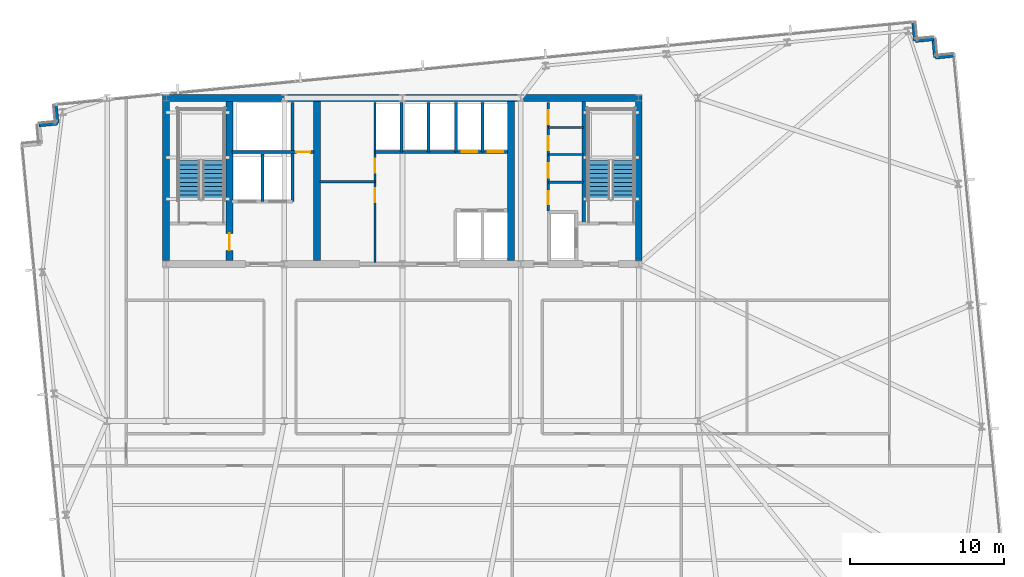
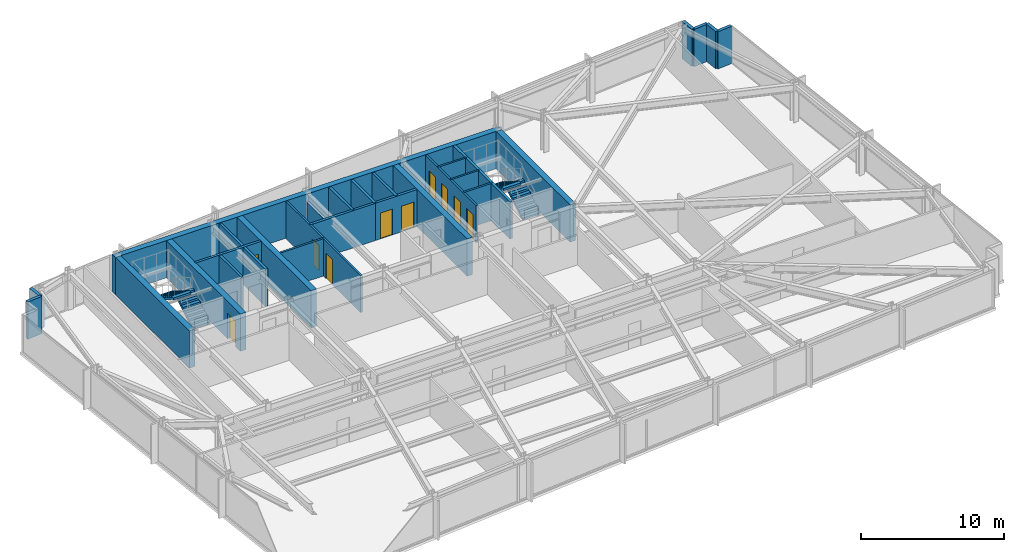
# One storey, part 26 of 32: 28 walls, 10 doors, 4 stair flights, 10 openings, 2 elements without a shape of their own.
"""IFC4 building model written with IfcOpenShell, lengths in metres."""

from ifc_helpers import new_model, si_unit, direction, frame, frame_2d, origin, place, context, subcontext, project, spatial, polyline, rectangle, outline, extrude, material, layer, layer_set, type_object, element, fill, aggregate, save


model = new_model("IFC4")

# Units and contexts
model_context = context("Model", 3, precision=1e-05, world=origin(), true_north=direction((0.0, 1.0)))
body_context = subcontext(model_context, "Body", "Model", "MODEL_VIEW")
ifc_project = project(units=[si_unit("LENGTHUNIT", "METRE"), si_unit("AREAUNIT", "SQUARE_METRE"), si_unit("VOLUMEUNIT", "CUBIC_METRE"), si_unit("PLANEANGLEUNIT", "RADIAN"), si_unit("MASSUNIT", "GRAM", prefix="KILO")], contexts=[model_context])

# Site, building, storey
site_placement = place(None, origin())
site = spatial("IfcSite", under=ifc_project, at=site_placement, CompositionType="ELEMENT")
building_placement = place(site_placement, origin())
building = spatial("IfcBuilding", under=site, at=building_placement, Name="Yelkora Congress Tower", CompositionType="ELEMENT")
storey_placement = place(building_placement, frame((0.0, 0.0, 99.89990234375)))
storey = spatial("IfcBuildingStorey", under=building, at=storey_placement, Name="L26", CompositionType="ELEMENT", Elevation=99.89990234375)

# Walls
ifc_material_1 = material(Name="Concrete C50/60", Category="concrete")
ifc_layer_1 = layer(ifc_material_1, 0.219970703125)
ifc_layer_set_1 = layer_set([ifc_layer_1], Name="Concrete C50/60")
wall_type_1 = type_object("IfcWallType", Name="WALL-CORE-INT-220", PredefinedType="SHEAR", material=ifc_layer_set_1)
wall_1_placement = place(storey_placement, frame((50.179931640625, 38.050048828125, 0.0), z_axis=(0.0, 0.0, 1.0), x_axis=(0.0, 1.0, 0.0)))
element("IfcWall", 1, at=wall_1_placement, inside=storey, type_object=wall_type_1, Name="L26 ST02 West Stair Shear Wall", PredefinedType="SHEAR", context=body_context, shape_type="SweptSolid", body=[
    extrude(rectangle(XDim=7.925048828125, YDim=0.219970703125, at=frame_2d((3.96240234375, 0.0))), origin(), (0.0, 0.0, 1.0), 3.18017578125),
])
ifc_material_2 = material(Name="Concrete C60/75", Category="concrete")
ifc_layer_2 = layer(ifc_material_2, 0.449951171875)
ifc_layer_set_2 = layer_set([ifc_layer_2], Name="Concrete C60/75")
wall_type_2 = type_object("IfcWallType", Name="WALL-CORE-INT-450", PredefinedType="SHEAR", material=ifc_layer_set_2)
wall_2_placement = place(storey_placement, frame((22.81494140625, 46.199951171875, 0.0), z_axis=(0.0, 0.0, 1.0), x_axis=(1.0, 0.0, 0.0)))
element("IfcWall", 2, at=wall_2_placement, inside=storey, type_object=wall_type_2, Name="L26 Rear Core North Shear Wall", PredefinedType="SHEAR", context=body_context, shape_type="SweptSolid", body=[
    extrude(rectangle(XDim=31.170166015625, YDim=0.449951171875, at=frame_2d((15.5849609375, 0.0))), origin(), (0.0, 0.0, 1.0), 3.18017578125),
])
wall_3_placement = place(storey_placement, frame((23.0400390625, 35.625, 0.0), z_axis=(0.0, 0.0, 1.0), x_axis=(0.0, 1.0, 0.0)))
element("IfcWall", 3, at=wall_3_placement, inside=storey, type_object=wall_type_2, Name="L26 Rear Core Cross Shear Wall W", PredefinedType="SHEAR", context=body_context, shape_type="SweptSolid", body=[
    extrude(rectangle(XDim=10.35009765625, YDim=0.449951171875, at=frame_2d((5.175048828125, 0.0))), origin(), (0.0, 0.0, 1.0), 3.18017578125),
])

# Wall, opening, door
wall_4_placement = place(storey_placement, frame((27.14990234375, 35.625, 0.0), z_axis=(0.0, 0.0, 1.0), x_axis=(0.0, 1.0, 0.0)))
wall_4 = element("IfcWall", 4, at=wall_4_placement, inside=storey, type_object=wall_type_2, Name="L26 Rear Core Cross Shear Wall C1", PredefinedType="SHEAR", context=body_context, shape_type="SweptSolid", body=[
    extrude(rectangle(XDim=10.35009765625, YDim=0.449951171875, at=frame_2d((5.175048828125, 0.0))), origin(), (0.0, 0.0, 1.0), 3.18017578125),
])
opening_1_placement = place(wall_4_placement, frame((0.675048828125, 0.0, 0.0)))
opening_1 = element("IfcOpeningElement", 5, at=opening_1_placement, cuts=wall_4, Name="Opening DR-110F9", PredefinedType="OPENING", context=body_context, shape_type="SweptSolid", body=[
    extrude(rectangle(XDim=1.10009765625, YDim=2.14990234375, at=frame_2d((0.550048828125, 1.074951171875))), frame((0.0, 0.23486328125, 0.0), z_axis=(0.0, -1.0, 0.0), x_axis=(1.0, 0.0, 0.0)), (0.0, 0.0, 1.0), 0.469970703125),
])
ifc_material_3 = material(Name="Galvanised steel fire door leaf", Category="steel")
door_type_1 = type_object("IfcDoorType", Name="DOOR-FD90-1100", OperationType="NOTDEFINED", PredefinedType="DOOR", material=ifc_material_3)
door_1_placement = place(opening_1_placement, origin())
door_1 = element("IfcDoor", 6, at=door_1_placement, inside=storey, type_object=door_type_1, Name="L26 Firefighting Stair Transfer Door", OperationType="SINGLE_SWING_LEFT", OverallHeight=2.14990234375, OverallWidth=1.10009765625, PredefinedType="DOOR", context=body_context, shape_type="SweptSolid", body=[
    extrude(rectangle(XDim=1.10009765625, YDim=2.14990234375, at=frame_2d((0.550048828125, 1.074951171875))), frame((0.0, 0.02490234375, 0.0), z_axis=(0.0, -1.0, 0.0), x_axis=(1.0, 0.0, 0.0)), (0.0, 0.0, 1.0), 0.050048828125),
])
fill(opening_1, door_1)

# Walls
for number, where, z_axis, x_axis, name in (
    (7, (32.85009765625, 35.625, 0.0), (0.0, 0.0, 1.0), (0.0, 1.0, 0.0), "L26 Rear Core Cross Shear Wall C2"),
    (8, (45.449951171875, 35.625, 0.0), (0.0, 0.0, 1.0), (0.0, 1.0, 0.0), "L26 Rear Core Cross Shear Wall C3"),
    (9, (53.760009765625, 35.625, 0.0), (0.0, 0.0, 1.0), (0.0, 1.0, 0.0), "L26 Rear Core Cross Shear Wall E"),
):
    element("IfcWall", number, at=place(storey_placement, frame(where, z_axis=z_axis, x_axis=x_axis)), inside=storey, type_object=wall_type_2, Name=name, PredefinedType="SHEAR", context=body_context, shape_type="SweptSolid", body=[
        extrude(rectangle(XDim=10.35009765625, YDim=0.449951171875, at=frame_2d((5.175048828125, 0.0))), origin(), (0.0, 0.0, 1.0), 3.18017578125),
    ])
ifc_material_4 = material(Name="Concrete C40/50", Category="concrete")
ifc_layer_3 = layer(ifc_material_4, 0.239990234375)
ifc_layer_set_3 = layer_set([ifc_layer_3], Name="Concrete C40/50")
wall_type_3 = type_object("IfcWallType", Name="WALL-EXT-LIMESTONE-240", PredefinedType="SOLIDWALL", material=ifc_layer_set_3)
for number, where, z_axis, x_axis, name in (
    (10, (14.7705078125, 44.436279296875, 0.0), (0.0, 0.0, 1.0), (0.995397091755, 0.095836473879, 0.0), "L26 Serrated Corner Limestone Pier 8"),
    (11, (15.96484375, 44.55126953125, 0.0), (0.0, 0.0, 1.0), (-0.095836473879, 0.995397091755, 0.0), "L26 Serrated Corner Limestone Pier 9"),
):
    element("IfcWall", number, at=place(storey_placement, frame(where, z_axis=z_axis, x_axis=x_axis)), inside=storey, type_object=wall_type_3, Name=name, PredefinedType="SOLIDWALL", context=body_context, shape_type="SweptSolid", body=[
        extrude(rectangle(XDim=1.199951171875, YDim=0.239990234375, at=frame_2d((0.60009765625, 0.0))), origin(), (0.0, 0.0, 1.0), 3.18017578125),
    ])
for number, where, z_axis, x_axis, name in (
    (12, (71.61181640625, 51.114990234375, 0.0), (0.0, 0.0, 1.0), (0.095817067274, -0.995398960025, 0.0), "L26 Serrated Corner Limestone Pier 11"),
    (13, (71.726806640625, 49.92041015625, 0.0), (0.0, 0.0, 1.0), (0.995398960025, 0.095817067274, 0.0), "L26 Serrated Corner Limestone Pier 12"),
    (14, (72.92138671875, 50.035400390625, 0.0), (0.0, 0.0, 1.0), (0.095817067274, -0.995398960025, 0.0), "L26 Serrated Corner Limestone Pier 13"),
    (15, (73.036376953125, 48.8408203125, 0.0), (0.0, 0.0, 1.0), (0.995379537303, 0.096018626938, 0.0), "L26 Serrated Corner Limestone Pier 14"),
):
    element("IfcWall", number, at=place(storey_placement, frame(where, z_axis=z_axis, x_axis=x_axis)), inside=storey, type_object=wall_type_3, Name=name, PredefinedType="SOLIDWALL", context=body_context, shape_type="SweptSolid", body=[
        extrude(rectangle(XDim=1.2001953125, YDim=0.239990234375, at=frame_2d((0.60009765625, 0.0))), origin(), (0.0, 0.0, 1.0), 3.18017578125),
    ])
ifc_material_5 = material(Name="Acoustic metal-stud gypsum partition", Category="gypsum")
ifc_layer_4 = layer(ifc_material_5, 0.14990234375)
ifc_layer_set_4 = layer_set([ifc_layer_4], Name="Acoustic metal-stud gypsum partition")
wall_type_4 = type_object("IfcWallType", Name="WALL-INT-150-NR", PredefinedType="PARTITIONING", material=ifc_layer_set_4)
for number, where, z_axis, x_axis, name in (
    (16, (47.8798828125, 40.719970703125, 0.0), (0.0, 0.0, 1.0), (1.0, 0.0, 0.0), "L26 Partition Wall 24"),
    (17, (47.8798828125, 42.52001953125, 0.0), (0.0, 0.0, 1.0), (1.0, 0.0, 0.0), "L26 Partition Wall 25"),
    (18, (47.8798828125, 44.280029296875, 0.0), (0.0, 0.0, 1.0), (1.0, 0.0, 0.0), "L26 Partition Wall 26"),
):
    element("IfcWall", number, at=place(storey_placement, frame(where, z_axis=z_axis, x_axis=x_axis)), inside=storey, type_object=wall_type_4, Name=name, PredefinedType="PARTITIONING", context=body_context, shape_type="SweptSolid", body=[
        extrude(rectangle(XDim=2.300048828125, YDim=0.14990234375, at=frame_2d((1.14990234375, 0.0))), origin(), (0.0, 0.0, 1.0), 3.18017578125),
    ])

# Wall, openings, doors
wall_5_placement = place(storey_placement, frame((47.8798828125, 38.85009765625, 0.0), z_axis=(0.0, 0.0, 1.0), x_axis=(0.0, 1.0, 0.0)))
wall_5 = element("IfcWall", 19, at=wall_5_placement, inside=storey, type_object=wall_type_4, Name="L26 Partition Wall 27", PredefinedType="PARTITIONING", context=body_context, shape_type="SweptSolid", body=[
    extrude(rectangle(XDim=7.06982421875, YDim=0.14990234375, at=frame_2d((3.534912109375, 0.0))), origin(), (0.0, 0.0, 1.0), 3.18017578125),
])
opening_2_placement = place(wall_5_placement, frame((0.449951171875, 0.0, 0.0)))
opening_2 = element("IfcOpeningElement", 20, at=opening_2_placement, cuts=wall_5, Name="Opening DR-085N", PredefinedType="OPENING", context=body_context, shape_type="SweptSolid", body=[
    extrude(rectangle(XDim=0.85009765625, YDim=2.14990234375, at=frame_2d((0.425048828125, 1.074951171875))), frame((0.0, 0.0849609375, 0.0), z_axis=(0.0, -1.0, 0.0), x_axis=(1.0, 0.0, 0.0)), (0.0, 0.0, 1.0), 0.169921875),
])
opening_3_placement = place(wall_5_placement, frame((2.14990234375, 0.0, 0.0)))
opening_3 = element("IfcOpeningElement", 21, at=opening_3_placement, cuts=wall_5, Name="Opening DR-095N", PredefinedType="OPENING", context=body_context, shape_type="SweptSolid", body=[
    extrude(rectangle(XDim=0.949951171875, YDim=2.14990234375, at=frame_2d((0.47509765625, 1.074951171875))), frame((0.0, 0.0849609375, 0.0), z_axis=(0.0, -1.0, 0.0), x_axis=(1.0, 0.0, 0.0)), (0.0, 0.0, 1.0), 0.169921875),
])
opening_4_placement = place(wall_5_placement, frame((3.949951171875, 0.0, 0.0)))
opening_4 = element("IfcOpeningElement", 22, at=opening_4_placement, cuts=wall_5, Name="Opening DR-090N", PredefinedType="OPENING", context=body_context, shape_type="SweptSolid", body=[
    extrude(rectangle(XDim=0.89990234375, YDim=2.14990234375, at=frame_2d((0.449951171875, 1.074951171875))), frame((0.0, 0.0849609375, 0.0), z_axis=(0.0, -1.0, 0.0), x_axis=(1.0, 0.0, 0.0)), (0.0, 0.0, 1.0), 0.169921875),
])
opening_5_placement = place(wall_5_placement, frame((5.64990234375, 0.0, 0.0)))
opening_5 = element("IfcOpeningElement", 23, at=opening_5_placement, cuts=wall_5, Name="Opening DR-090N", PredefinedType="OPENING", context=body_context, shape_type="SweptSolid", body=[
    extrude(rectangle(XDim=0.89990234375, YDim=2.14990234375, at=frame_2d((0.449951171875, 1.074951171875))), frame((0.0, 0.0849609375, 0.0), z_axis=(0.0, -1.0, 0.0), x_axis=(1.0, 0.0, 0.0)), (0.0, 0.0, 1.0), 0.169921875),
])
ifc_material_6 = material(Name="Laminate service store door leaf", Category="wood")
door_type_2 = type_object("IfcDoorType", Name="DOOR-INT-850", OperationType="NOTDEFINED", PredefinedType="DOOR", material=ifc_material_6)
door_2_placement = place(opening_2_placement, origin())
door_2 = element("IfcDoor", 24, at=door_2_placement, inside=storey, type_object=door_type_2, Name="L26 Janitor Room Door", OperationType="SINGLE_SWING_RIGHT", OverallHeight=2.14990234375, OverallWidth=0.85009765625, PredefinedType="DOOR", context=body_context, shape_type="SweptSolid", body=[
    extrude(rectangle(XDim=0.85009765625, YDim=2.14990234375, at=frame_2d((0.425048828125, 1.074951171875))), frame((0.0, 0.02490234375, 0.0), z_axis=(0.0, -1.0, 0.0), x_axis=(1.0, 0.0, 0.0)), (0.0, 0.0, 1.0), 0.050048828125),
])
fill(opening_2, door_2)
ifc_material_7 = material(Name="Moisture-resistant laminate door leaf", Category="wood")
door_type_3 = type_object("IfcDoorType", Name="DOOR-INT-900", OperationType="NOTDEFINED", PredefinedType="DOOR", material=ifc_material_7)
door_3_placement = place(opening_4_placement, origin())
door_3 = element("IfcDoor", 25, at=door_3_placement, inside=storey, type_object=door_type_3, Name="L26 Male WC Door", OperationType="SINGLE_SWING_RIGHT", OverallHeight=2.14990234375, OverallWidth=0.89990234375, PredefinedType="DOOR", context=body_context, shape_type="SweptSolid", body=[
    extrude(rectangle(XDim=0.89990234375, YDim=2.14990234375, at=frame_2d((0.449951171875, 1.074951171875))), frame((0.0, 0.02490234375, 0.0), z_axis=(0.0, -1.0, 0.0), x_axis=(1.0, 0.0, 0.0)), (0.0, 0.0, 1.0), 0.050048828125),
])
fill(opening_4, door_3)
door_4_placement = place(opening_5_placement, origin())
door_4 = element("IfcDoor", 26, at=door_4_placement, inside=storey, type_object=door_type_3, Name="L26 Female WC Door", OperationType="SINGLE_SWING_LEFT", OverallHeight=2.14990234375, OverallWidth=0.89990234375, PredefinedType="DOOR", context=body_context, shape_type="SweptSolid", body=[
    extrude(rectangle(XDim=0.89990234375, YDim=2.14990234375, at=frame_2d((0.449951171875, 1.074951171875))), frame((0.0, 0.02490234375, 0.0), z_axis=(0.0, -1.0, 0.0), x_axis=(1.0, 0.0, 0.0)), (0.0, 0.0, 1.0), 0.050048828125),
])
fill(opening_5, door_4)
ifc_material_8 = material(Name="Acoustic laminated timber office door", Category="wood")
door_type_4 = type_object("IfcDoorType", Name="DOOR-INT-950", OperationType="NOTDEFINED", PredefinedType="DOOR", material=ifc_material_8)
door_5_placement = place(opening_3_placement, origin())
door_5 = element("IfcDoor", 27, at=door_5_placement, inside=storey, type_object=door_type_4, Name="L26 Accessible WC Door", OperationType="SINGLE_SWING_LEFT", OverallHeight=2.14990234375, OverallWidth=0.949951171875, PredefinedType="DOOR", context=body_context, shape_type="SweptSolid", body=[
    extrude(rectangle(XDim=0.949951171875, YDim=2.14990234375, at=frame_2d((0.47509765625, 1.074951171875))), frame((0.0, 0.02490234375, 0.0), z_axis=(0.0, -1.0, 0.0), x_axis=(1.0, 0.0, 0.0)), (0.0, 0.0, 1.0), 0.050048828125),
])
fill(opening_3, door_5)

# Wall
ifc_material_9 = material(Name="Twin-stud fire-rated gypsum partition", Category="gypsum")
ifc_layer_5 = layer(ifc_material_9, 0.14990234375)
ifc_layer_set_5 = layer_set([ifc_layer_5], Name="Twin-stud fire-rated gypsum partition")
wall_type_5 = type_object("IfcWallType", Name="WALL-INT-150-R60", PredefinedType="PARTITIONING", material=ifc_layer_set_5)
wall_6_placement = place(storey_placement, frame((33.050048828125, 40.75, 0.0), z_axis=(0.0, 0.0, 1.0), x_axis=(1.0, 0.0, 0.0)))
element("IfcWall", 28, at=wall_6_placement, inside=storey, type_object=wall_type_5, Name="L26 Partition Wall 11", PredefinedType="PARTITIONING", context=body_context, shape_type="SweptSolid", body=[
    extrude(rectangle(XDim=3.570068359375, YDim=0.14990234375, at=frame_2d((1.78515625, 0.0))), origin(), (0.0, 0.0, 1.0), 3.18017578125),
])

# Wall, openings, doors
wall_7_placement = place(storey_placement, frame((36.6201171875, 35.5, 0.0), z_axis=(0.0, 0.0, 1.0), x_axis=(0.0, 1.0, 0.0)))
wall_7 = element("IfcWall", 29, at=wall_7_placement, inside=storey, type_object=wall_type_5, Name="L26 Partition Wall 12", PredefinedType="PARTITIONING", context=body_context, shape_type="SweptSolid", body=[
    extrude(rectangle(XDim=10.419921875, YDim=0.14990234375, at=frame_2d((5.2099609375, 0.0))), origin(), (0.0, 0.0, 1.0), 3.18017578125),
])
opening_6_placement = place(wall_7_placement, frame((3.919921875, 0.0, 0.0)))
opening_6 = element("IfcOpeningElement", 30, at=opening_6_placement, cuts=wall_7, Name="Opening DR-090F6", PredefinedType="OPENING", context=body_context, shape_type="SweptSolid", body=[
    extrude(rectangle(XDim=0.89990234375, YDim=2.14990234375, at=frame_2d((0.449951171875, 1.074951171875))), frame((0.0, 0.0849609375, 0.0), z_axis=(0.0, -1.0, 0.0), x_axis=(1.0, 0.0, 0.0)), (0.0, 0.0, 1.0), 0.169921875),
])
opening_7_placement = place(wall_7_placement, frame((5.85009765625, 0.0, 0.0)))
opening_7 = element("IfcOpeningElement", 31, at=opening_7_placement, cuts=wall_7, Name="Opening DR-090F6", PredefinedType="OPENING", context=body_context, shape_type="SweptSolid", body=[
    extrude(rectangle(XDim=0.89990234375, YDim=2.14990234375, at=frame_2d((0.449951171875, 1.074951171875))), frame((0.0, 0.0849609375, 0.0), z_axis=(0.0, -1.0, 0.0), x_axis=(1.0, 0.0, 0.0)), (0.0, 0.0, 1.0), 0.169921875),
])
ifc_material_10 = material(Name="Painted steel riser fire door leaf", Category="steel")
door_type_5 = type_object("IfcDoorType", Name="DOOR-FD60-900", OperationType="NOTDEFINED", PredefinedType="DOOR", material=ifc_material_10)
door_6_placement = place(opening_6_placement, origin())
door_6 = element("IfcDoor", 32, at=door_6_placement, inside=storey, type_object=door_type_5, Name="L26 Telecom Store Door", OperationType="SINGLE_SWING_LEFT", OverallHeight=2.14990234375, OverallWidth=0.89990234375, PredefinedType="DOOR", context=body_context, shape_type="SweptSolid", body=[
    extrude(rectangle(XDim=0.89990234375, YDim=2.14990234375, at=frame_2d((0.449951171875, 1.074951171875))), frame((0.0, 0.02490234375, 0.0), z_axis=(0.0, -1.0, 0.0), x_axis=(1.0, 0.0, 0.0)), (0.0, 0.0, 1.0), 0.050048828125),
])
fill(opening_6, door_6)
door_7_placement = place(opening_7_placement, origin())
door_7 = element("IfcDoor", 33, at=door_7_placement, inside=storey, type_object=door_type_5, Name="L26 Archive Store Door", OperationType="SINGLE_SWING_RIGHT", OverallHeight=2.14990234375, OverallWidth=0.89990234375, PredefinedType="DOOR", context=body_context, shape_type="SweptSolid", body=[
    extrude(rectangle(XDim=0.89990234375, YDim=2.14990234375, at=frame_2d((0.449951171875, 1.074951171875))), frame((0.0, 0.02490234375, 0.0), z_axis=(0.0, -1.0, 0.0), x_axis=(1.0, 0.0, 0.0)), (0.0, 0.0, 1.0), 0.050048828125),
])
fill(opening_7, door_7)

# Walls
ifc_material_11 = material(Name="Autoclaved aerated concrete blockwork", Category="masonry")
ifc_layer_6 = layer(ifc_material_11, 0.199951171875)
ifc_layer_set_6 = layer_set([ifc_layer_6], Name="Autoclaved aerated concrete blockwork")
wall_type_6 = type_object("IfcWallType", Name="WALL-INT-200-R120", PredefinedType="PARTITIONING", material=ifc_layer_set_6)
wall_8_placement = place(storey_placement, frame((29.300048828125, 39.47998046875, 0.0), z_axis=(0.0, 0.0, 1.0), x_axis=(0.0, 1.0, 0.0)))
element("IfcWall", 34, at=wall_8_placement, inside=storey, type_object=wall_type_6, Name="L26 Partition Wall 4", PredefinedType="PARTITIONING", context=body_context, shape_type="SweptSolid", body=[
    extrude(rectangle(XDim=3.070068359375, YDim=0.199951171875, at=frame_2d((1.53515625, 0.0))), origin(), (0.0, 0.0, 1.0), 3.18017578125),
])
wall_9_placement = place(storey_placement, frame((31.260009765625, 39.47998046875, 0.0), z_axis=(0.0, 0.0, 1.0), x_axis=(0.0, 1.0, 0.0)))
element("IfcWall", 35, at=wall_9_placement, inside=storey, type_object=wall_type_6, Name="L26 Partition Wall 5", PredefinedType="PARTITIONING", context=body_context, shape_type="SweptSolid", body=[
    extrude(rectangle(XDim=6.43994140625, YDim=0.199951171875, at=frame_2d((3.219970703125, 0.0))), origin(), (0.0, 0.0, 1.0), 3.18017578125),
])

# Wall, opening, door
wall_10_placement = place(storey_placement, frame((27.320068359375, 42.679931640625, 0.0), z_axis=(0.0, 0.0, 1.0), x_axis=(1.0, 0.0, 0.0)))
wall_10 = element("IfcWall", 36, at=wall_10_placement, inside=storey, type_object=wall_type_6, Name="L26 Smoke Riser South Wall", PredefinedType="PARTITIONING", context=body_context, shape_type="SweptSolid", body=[
    extrude(rectangle(XDim=5.329833984375, YDim=0.199951171875, at=frame_2d((2.6650390625, 0.0))), origin(), (0.0, 0.0, 1.0), 3.18017578125),
])
opening_8_placement = place(wall_10_placement, frame((4.179931640625, 0.0, 0.0)))
opening_8 = element("IfcOpeningElement", 37, at=opening_8_placement, cuts=wall_10, Name="Opening DR-090F6", PredefinedType="OPENING", context=body_context, shape_type="SweptSolid", body=[
    extrude(rectangle(XDim=0.89990234375, YDim=2.14990234375, at=frame_2d((0.449951171875, 1.074951171875))), frame((0.0, 0.10986328125, 0.0), z_axis=(0.0, -1.0, 0.0), x_axis=(1.0, 0.0, 0.0)), (0.0, 0.0, 1.0), 0.219970703125),
])
door_8_placement = place(opening_8_placement, origin())
door_8 = element("IfcDoor", 38, at=door_8_placement, inside=storey, type_object=door_type_5, Name="L26 Riser Access Door", OperationType="SINGLE_SWING_LEFT", OverallHeight=2.14990234375, OverallWidth=0.89990234375, PredefinedType="DOOR", context=body_context, shape_type="SweptSolid", body=[
    extrude(rectangle(XDim=0.89990234375, YDim=2.14990234375, at=frame_2d((0.449951171875, 1.074951171875))), frame((0.0, 0.02490234375, 0.0), z_axis=(0.0, -1.0, 0.0), x_axis=(1.0, 0.0, 0.0)), (0.0, 0.0, 1.0), 0.050048828125),
])
fill(opening_8, door_8)

# Walls
wall_11_placement = place(storey_placement, frame((36.60009765625, 42.699951171875, 0.0), z_axis=(0.0, 0.0, 1.0), x_axis=(1.0, 0.0, 0.0)))
element("IfcWall", 39, at=wall_11_placement, inside=storey, type_object=wall_type_6, Name="L26 Partition Wall 8", PredefinedType="PARTITIONING", context=body_context, shape_type="SweptSolid", body=[
    extrude(rectangle(XDim=5.25, YDim=0.199951171875, at=frame_2d((2.625, 0.0))), origin(), (0.0, 0.0, 1.0), 3.18017578125),
])
wall_12_placement = place(storey_placement, frame((38.35009765625, 42.699951171875, 0.0), z_axis=(0.0, 0.0, 1.0), x_axis=(0.0, 1.0, 0.0)))
element("IfcWall", 40, at=wall_12_placement, inside=storey, type_object=wall_type_6, Name="L26 Partition Wall 9", PredefinedType="PARTITIONING", context=body_context, shape_type="SweptSolid", body=[
    extrude(rectangle(XDim=3.219970703125, YDim=0.199951171875, at=frame_2d((1.60986328125, 0.0))), origin(), (0.0, 0.0, 1.0), 2.525146484375),
])
wall_13_placement = place(storey_placement, frame((40.10009765625, 42.699951171875, 0.0), z_axis=(0.0, 0.0, 1.0), x_axis=(0.0, 1.0, 0.0)))
element("IfcWall", 41, at=wall_13_placement, inside=storey, type_object=wall_type_6, Name="L26 Partition Wall 10", PredefinedType="PARTITIONING", context=body_context, shape_type="SweptSolid", body=[
    extrude(rectangle(XDim=3.219970703125, YDim=0.199951171875, at=frame_2d((1.60986328125, 0.0))), origin(), (0.0, 0.0, 1.0), 3.18017578125),
])

# Wall, openings, doors
wall_14_placement = place(storey_placement, frame((41.85009765625, 42.699951171875, 0.0), z_axis=(0.0, 0.0, 1.0), x_axis=(1.0, 0.0, 0.0)))
wall_14 = element("IfcWall", 42, at=wall_14_placement, inside=storey, type_object=wall_type_6, Name="L26 Partition Wall 14", PredefinedType="PARTITIONING", context=body_context, shape_type="SweptSolid", body=[
    extrude(rectangle(XDim=3.369873046875, YDim=0.199951171875, at=frame_2d((1.68505859375, 0.0))), origin(), (0.0, 0.0, 1.0), 3.18017578125),
])
opening_9_placement = place(wall_14_placement, frame((0.39990234375, 0.0, 0.0)))
opening_9 = element("IfcOpeningElement", 43, at=opening_9_placement, cuts=wall_14, Name="Opening LD-PS10", PredefinedType="OPENING", context=body_context, shape_type="SweptSolid", body=[
    extrude(rectangle(XDim=1.0, YDim=2.199951171875, at=frame_2d((0.5, 1.10009765625))), frame((0.0, 0.10986328125, 0.0), z_axis=(0.0, -1.0, 0.0), x_axis=(1.0, 0.0, 0.0)), (0.0, 0.0, 1.0), 0.219970703125),
])
opening_10_placement = place(wall_14_placement, frame((2.10009765625, 0.0, 0.0)))
opening_10 = element("IfcOpeningElement", 44, at=opening_10_placement, cuts=wall_14, Name="Opening LD-PS10", PredefinedType="OPENING", context=body_context, shape_type="SweptSolid", body=[
    extrude(rectangle(XDim=1.0, YDim=2.199951171875, at=frame_2d((0.5, 1.10009765625))), frame((0.0, 0.10986328125, 0.0), z_axis=(0.0, -1.0, 0.0), x_axis=(1.0, 0.0, 0.0)), (0.0, 0.0, 1.0), 0.219970703125),
])
ifc_material_12 = material(Name="Champagne stainless steel landing door", Category="steel")
door_type_6 = type_object("IfcDoorType", Name="DOOR-LIFT-PAS-1000", OperationType="DOUBLE_DOOR_SLIDING", PredefinedType="DOOR", material=ifc_material_12)
door_9_placement = place(opening_9_placement, origin())
door_9 = element("IfcDoor", 45, at=door_9_placement, inside=storey, type_object=door_type_6, Name="Lift Landing Door LF-P7 L26", OperationType="DOUBLE_DOOR_SLIDING", OverallHeight=2.199951171875, OverallWidth=1.0, PredefinedType="DOOR", context=body_context, shape_type="SweptSolid", body=[
    extrude(rectangle(XDim=1.0, YDim=2.199951171875, at=frame_2d((0.5, 1.10009765625))), frame((0.0, 0.02490234375, 0.0), z_axis=(0.0, -1.0, 0.0), x_axis=(1.0, 0.0, 0.0)), (0.0, 0.0, 1.0), 0.050048828125),
])
fill(opening_9, door_9)
door_10_placement = place(opening_10_placement, origin())
door_10 = element("IfcDoor", 46, at=door_10_placement, inside=storey, type_object=door_type_6, Name="Lift Landing Door LF-P8 L26", OperationType="DOUBLE_DOOR_SLIDING", OverallHeight=2.199951171875, OverallWidth=1.0, PredefinedType="DOOR", context=body_context, shape_type="SweptSolid", body=[
    extrude(rectangle(XDim=1.0, YDim=2.199951171875, at=frame_2d((0.5, 1.10009765625))), frame((0.0, 0.02490234375, 0.0), z_axis=(0.0, -1.0, 0.0), x_axis=(1.0, 0.0, 0.0)), (0.0, 0.0, 1.0), 0.050048828125),
])
fill(opening_10, door_10)

# Walls
for number, where, z_axis, x_axis, name in (
    (47, (43.60009765625, 42.699951171875, 0.0), (0.0, 0.0, 1.0), (0.0, 1.0, 0.0), "L26 Partition Wall 16"),
    (48, (41.8798828125, 42.699951171875, 0.0), (0.0, 0.0, 1.0), (0.0, 1.0, 0.0), "L26 Partition Wall 18"),
):
    element("IfcWall", number, at=place(storey_placement, frame(where, z_axis=z_axis, x_axis=x_axis)), inside=storey, type_object=wall_type_6, Name=name, PredefinedType="PARTITIONING", context=body_context, shape_type="SweptSolid", body=[
        extrude(rectangle(XDim=3.219970703125, YDim=0.199951171875, at=frame_2d((1.60986328125, 0.0))), origin(), (0.0, 0.0, 1.0), 3.18017578125),
    ])

# Stair, stair flights
stair_type = type_object("IfcStairType", Name="STAIR-HT-1420-R20-170", PredefinedType="HALF_TURN_STAIR", material=ifc_material_4)
stair_1_placement = place(storey_placement, origin())
stair_1 = element("IfcStair", 49, at=stair_1_placement, inside=storey, type_object=stair_type, Name="West Core Protected Exit Stair ST-01 (L26)", PredefinedType="HALF_TURN_STAIR")
stair_flight_type = type_object("IfcStairFlightType", Name="FLIGHT-1420-N10-R170-G280", PredefinedType="STRAIGHT", material=ifc_material_4)
stair_flight_1_placement = place(storey_placement, frame((26.110107421875, 39.60009765625, 0.0), z_axis=(0.0, 0.0, 1.0), x_axis=(0.0, 1.0, 0.0)))
stair_flight_1 = element("IfcStairFlight", 50, at=stair_flight_1_placement, type_object=stair_flight_type, Name="ST-01 L26 Flight 1", NumberOfRisers=10, NumberOfTreads=9, PredefinedType="STRAIGHT", RiserHeight=0.17, TreadLength=0.28, context=body_context, shape_type="SweptSolid", body=[
    extrude(outline(polyline([(0.0, 0.0), (0.0, 0.169921875), (0.280029296875, 0.169921875), (0.280029296875, 0.340087890625), (0.56005859375, 0.340087890625), (0.56005859375, 0.510009765625), (0.840087890625, 0.510009765625), (0.840087890625, 0.679931640625), (1.1201171875, 0.679931640625), (1.1201171875, 0.85009765625), (1.39990234375, 0.85009765625), (1.39990234375, 1.02001953125), (1.679931640625, 1.02001953125), (1.679931640625, 1.18994140625), (1.9599609375, 1.18994140625), (1.9599609375, 1.360107421875), (2.239990234375, 1.360107421875), (2.239990234375, 1.530029296875), (2.52001953125, 1.530029296875), (2.52001953125, 1.699951171875), (2.52001953125, 1.343017578125), (0.30810546875, 0.0), (0.0, 0.0)])), frame((0.0, 0.7099609375, 0.0), z_axis=(0.0, -1.0, 0.0), x_axis=(1.0, 0.0, 0.0)), (0.0, 0.0, 1.0), 1.419921875),
])
stair_flight_2_placement = place(storey_placement, frame((24.530029296875, 42.1201171875, 1.7001953125), z_axis=(0.0, 0.0, 1.0), x_axis=(0.0, -1.0, 0.0)))
stair_flight_2 = element("IfcStairFlight", 51, at=stair_flight_2_placement, type_object=stair_flight_type, Name="ST-01 L26 Flight 2", NumberOfRisers=10, NumberOfTreads=9, PredefinedType="STRAIGHT", RiserHeight=0.17, TreadLength=0.28, context=body_context, shape_type="SweptSolid", body=[
    extrude(outline(polyline([(0.0, 0.0), (0.0, 0.169921875), (0.280029296875, 0.169921875), (0.280029296875, 0.340087890625), (0.56005859375, 0.340087890625), (0.56005859375, 0.510009765625), (0.840087890625, 0.510009765625), (0.840087890625, 0.679931640625), (1.1201171875, 0.679931640625), (1.1201171875, 0.85009765625), (1.39990234375, 0.85009765625), (1.39990234375, 1.02001953125), (1.679931640625, 1.02001953125), (1.679931640625, 1.18994140625), (1.9599609375, 1.18994140625), (1.9599609375, 1.360107421875), (2.239990234375, 1.360107421875), (2.239990234375, 1.530029296875), (2.52001953125, 1.530029296875), (2.52001953125, 1.699951171875), (2.52001953125, 1.343017578125), (0.30810546875, 0.0), (0.0, 0.0)])), frame((0.0, 0.7099609375, 0.0), z_axis=(0.0, -1.0, 0.0), x_axis=(1.0, 0.0, 0.0)), (0.0, 0.0, 1.0), 1.419921875),
])
aggregate(stair_1, [stair_flight_1, stair_flight_2])

stair_2_placement = place(storey_placement, origin())
stair_2 = element("IfcStair", 52, at=stair_2_placement, inside=storey, type_object=stair_type, Name="East Core Protected Exit Stair ST-02 (L26)", PredefinedType="HALF_TURN_STAIR")
stair_flight_3_placement = place(storey_placement, frame((52.75, 39.60009765625, 0.0), z_axis=(0.0, 0.0, 1.0), x_axis=(0.0, 1.0, 0.0)))
stair_flight_3 = element("IfcStairFlight", 53, at=stair_flight_3_placement, type_object=stair_flight_type, Name="ST-02 L26 Flight 1", NumberOfRisers=10, NumberOfTreads=9, PredefinedType="STRAIGHT", RiserHeight=0.17, TreadLength=0.28, context=body_context, shape_type="SweptSolid", body=[
    extrude(outline(polyline([(0.0, 0.0), (0.0, 0.169921875), (0.280029296875, 0.169921875), (0.280029296875, 0.340087890625), (0.56005859375, 0.340087890625), (0.56005859375, 0.510009765625), (0.840087890625, 0.510009765625), (0.840087890625, 0.679931640625), (1.1201171875, 0.679931640625), (1.1201171875, 0.85009765625), (1.39990234375, 0.85009765625), (1.39990234375, 1.02001953125), (1.679931640625, 1.02001953125), (1.679931640625, 1.18994140625), (1.9599609375, 1.18994140625), (1.9599609375, 1.360107421875), (2.239990234375, 1.360107421875), (2.239990234375, 1.530029296875), (2.52001953125, 1.530029296875), (2.52001953125, 1.699951171875), (2.52001953125, 1.343017578125), (0.30810546875, 0.0), (0.0, 0.0)])), frame((0.0, 0.7099609375, 0.0), z_axis=(0.0, -1.0, 0.0), x_axis=(1.0, 0.0, 0.0)), (0.0, 0.0, 1.0), 1.419921875),
])
stair_flight_4_placement = place(storey_placement, frame((51.169921875, 42.1201171875, 1.7001953125), z_axis=(0.0, 0.0, 1.0), x_axis=(0.0, -1.0, 0.0)))
stair_flight_4 = element("IfcStairFlight", 54, at=stair_flight_4_placement, type_object=stair_flight_type, Name="ST-02 L26 Flight 2", NumberOfRisers=10, NumberOfTreads=9, PredefinedType="STRAIGHT", RiserHeight=0.17, TreadLength=0.28, context=body_context, shape_type="SweptSolid", body=[
    extrude(outline(polyline([(0.0, 0.0), (0.0, 0.169921875), (0.280029296875, 0.169921875), (0.280029296875, 0.340087890625), (0.56005859375, 0.340087890625), (0.56005859375, 0.510009765625), (0.840087890625, 0.510009765625), (0.840087890625, 0.679931640625), (1.1201171875, 0.679931640625), (1.1201171875, 0.85009765625), (1.39990234375, 0.85009765625), (1.39990234375, 1.02001953125), (1.679931640625, 1.02001953125), (1.679931640625, 1.18994140625), (1.9599609375, 1.18994140625), (1.9599609375, 1.360107421875), (2.239990234375, 1.360107421875), (2.239990234375, 1.530029296875), (2.52001953125, 1.530029296875), (2.52001953125, 1.699951171875), (2.52001953125, 1.343017578125), (0.30810546875, 0.0), (0.0, 0.0)])), frame((0.0, 0.7099609375, 0.0), z_axis=(0.0, -1.0, 0.0), x_axis=(1.0, 0.0, 0.0)), (0.0, 0.0, 1.0), 1.419921875),
])
aggregate(stair_2, [stair_flight_3, stair_flight_4])

save(model, "model.ifc")
